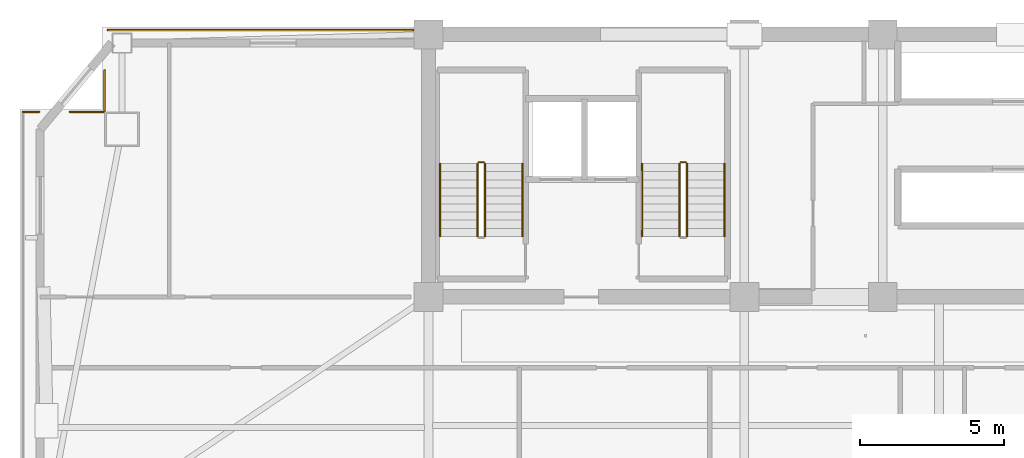
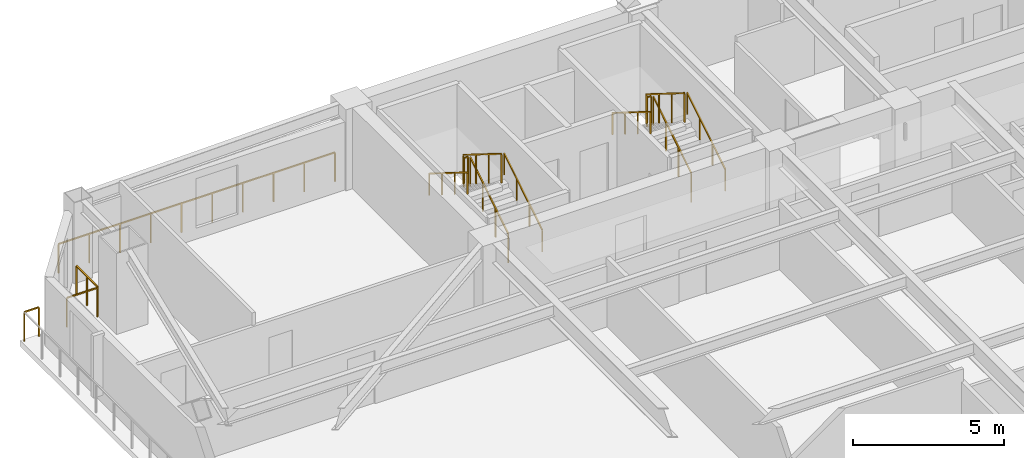
# One storey, part 16 of 17: 14 railings.
"""IFC4 building model written with IfcOpenShell, lengths in metres."""

import ifcopenshell
import ifcopenshell.guid

model = None  # the IFC model being written
_history = None  # IfcOwnerHistory: only IFC2X3 demands one
_inside = {}  # id of a spatial element -> (the spatial element, [elements in it])
_under = {}  # id of a project, library or spatial element -> (it, [spatial elements below it])
_declared = {}  # id of a project -> (the project, [libraries it declares])
_typed = {}  # id of a type object -> (the type object, [elements of that type])
_made_of = {}  # id of a material, layer set ... -> (it, [elements and type objects made of it])


def new_model(schema):
    """Start an empty IFC model of exactly this schema.

    Asked for "IFC4X3", IfcOpenShell would pick the latest addendum, in which some entities
    have other attributes; the version numbers below select the first issue.
    IFC2X3 requires an IfcOwnerHistory on every rooted entity: one is made here for all.
    """
    global model, _history
    if schema == "IFC4X3":
        model = ifcopenshell.file(schema_version=(4, 3, 0, 0))
    else:
        model = ifcopenshell.file(schema=schema)
    _inside.clear()
    _under.clear()
    _declared.clear()
    _typed.clear()
    _made_of.clear()
    _history = None
    if model.schema == "IFC2X3":
        org = make("IfcOrganization", Name="unknown")
        user = make(
            "IfcPersonAndOrganization",
            ThePerson=make("IfcPerson", FamilyName="unknown"),
            TheOrganization=org,
        )
        app = make(
            "IfcApplication",
            ApplicationDeveloper=org,
            Version="unknown",
            ApplicationFullName="unknown",
            ApplicationIdentifier="unknown",
        )
        _history = make(
            "IfcOwnerHistory",
            OwningUser=user,
            OwningApplication=app,
            ChangeAction="ADDED",
            CreationDate=0,
        )
    return model


def make(cls, **values):
    """One entity of the class cls with the attributes given. An attribute that is None is left unset."""
    return model.create_entity(
        cls, **{name: value for name, value in values.items() if value is not None}
    )


def rooted(cls, **values):
    """An entity with a GlobalId (a new one), such as an element, a storey or a relation."""
    return make(cls, GlobalId=ifcopenshell.guid.new(), OwnerHistory=_history, **values)


def si_unit(unit_type, name, prefix=None):
    """IfcSIUnit, for example si_unit("LENGTHUNIT", "METRE", prefix="MILLI")."""
    return make("IfcSIUnit", UnitType=unit_type, Prefix=prefix, Name=name)


def assignment(units):
    """IfcUnitAssignment: the units of a project."""
    return None if units is None else make("IfcUnitAssignment", Units=units)


def point(xyz):
    """IfcCartesianPoint."""
    return None if xyz is None else make("IfcCartesianPoint", Coordinates=xyz)


def direction(xyz):
    """IfcDirection."""
    return None if xyz is None else make("IfcDirection", DirectionRatios=xyz)


def frame(location, z_axis=None, x_axis=None):
    """IfcAxis2Placement3D, a coordinate frame: its origin and axes. An axis left out is left unset."""
    return make(
        "IfcAxis2Placement3D",
        Location=point(location),
        Axis=direction(z_axis),
        RefDirection=direction(x_axis),
    )


def frame_2d(location, x_axis=None):
    """IfcAxis2Placement2D, a coordinate frame in the plane: its origin and x axis."""
    return make(
        "IfcAxis2Placement2D", Location=point(location), RefDirection=direction(x_axis)
    )


def origin():
    """The frame at (0, 0, 0) with its axes left unset."""
    return frame((0.0, 0.0, 0.0))


def origin_2d():
    """The frame at (0, 0) in the plane with its x axis left unset."""
    return frame_2d((0.0, 0.0))


def place(relative_to, where):
    """IfcLocalPlacement: puts the frame where relative to a parent placement (None: the world)."""
    return make(
        "IfcLocalPlacement", PlacementRelTo=relative_to, RelativePlacement=where
    )


def context(
    kind, dimensions, precision=None, world=None, true_north=None, identifier=None
):
    """IfcGeometricRepresentationContext, for example the 3D "Model" context."""
    return make(
        "IfcGeometricRepresentationContext",
        ContextIdentifier=identifier,
        ContextType=kind,
        CoordinateSpaceDimension=dimensions,
        Precision=precision,
        WorldCoordinateSystem=world,
        TrueNorth=true_north,
    )


def subcontext(parent, identifier, kind, view, scale=None):
    """IfcGeometricRepresentationSubContext, for example "Body" below "Model"."""
    return make(
        "IfcGeometricRepresentationSubContext",
        ContextIdentifier=identifier,
        ContextType=kind,
        ParentContext=parent,
        TargetScale=scale,
        TargetView=view,
    )


def project(units=None, contexts=None):
    """IfcProject with its units and contexts."""
    return rooted(
        "IfcProject",
        Name="project",
        RepresentationContexts=contexts,
        UnitsInContext=assignment(units),
    )


def spatial(cls, under=None, at=None, **own):
    """A site, building, storey or space (cls), placed at a placement, below another one or the project."""
    s = rooted(cls, ObjectPlacement=at, **own)
    if under is not None:
        _under.setdefault(under.id(), (under, []))[1].append(s)
    return s


def profile(cls, at=None, kind="AREA", **sizes):
    """A parametric profile (cls). Its sizes go by their IFC names, for example OverallWidth=200.0."""
    return make(cls, ProfileType=kind, Position=at, **sizes)


def rectangle(**sizes):
    """IfcRectangleProfileDef."""
    return profile("IfcRectangleProfileDef", **sizes)


def extrude(swept, where, along, depth):
    """IfcExtrudedAreaSolid: the profile swept, set in the frame where, extruded along a direction by depth."""
    return make(
        "IfcExtrudedAreaSolid",
        SweptArea=swept,
        Position=where,
        ExtrudedDirection=direction(along),
        Depth=depth,
    )


def shape(context_of_items, identifier, shape_type, items):
    """IfcShapeRepresentation: the items that make up one representation, for example the "Body"."""
    return make(
        "IfcShapeRepresentation",
        ContextOfItems=context_of_items,
        RepresentationIdentifier=identifier,
        RepresentationType=shape_type,
        Items=items,
    )


def material(Name=None, Category=None):
    """IfcMaterial."""
    return make("IfcMaterial", Name=Name, Category=Category)


def made_of(thing, what):
    """Note that an element or type object is made of a material, layer set ...; save() writes the relation."""
    if what is not None:
        _made_of.setdefault(what.id(), (what, []))[1].append(thing)
    return thing


def type_object(cls, material=None, **own):
    """A type object (cls), such as IfcWallType, which elements share."""
    return made_of(rooted(cls, **own), material)


def element(
    cls,
    number,
    at=None,
    inside=None,
    cuts=None,
    type_object=None,
    material=None,
    context=None,
    identifier="Body",
    shape_type=None,
    held_by="IfcProductDefinitionShape",
    body=None,
    shapes=None,
    **own,
):
    """One element of the class cls, such as IfcWall. Its Tag is "e" and its number.

    at: its placement. inside: the storey or other place that contains it. cuts: it is an
    opening in that element (IfcRelVoidsElement). A single representation is given by context,
    identifier, shape_type and body (its items); several are given by shapes. held_by: the class
    of the entity that holds the representations. save() writes the other relations.
    """
    e = rooted(cls, Tag="e%d" % number, ObjectPlacement=at, **own)
    if body is not None:
        shapes = [shape(context, identifier, shape_type, body)]
    if shapes is not None:
        e.Representation = make(held_by, Representations=shapes)
    if inside is not None:
        _inside.setdefault(inside.id(), (inside, []))[1].append(e)
    if cuts is not None:
        rooted(
            "IfcRelVoidsElement", RelatingBuildingElement=cuts, RelatedOpeningElement=e
        )
    if type_object is not None:
        _typed.setdefault(type_object.id(), (type_object, []))[1].append(e)
    return made_of(e, material)


def aggregate(whole, parts):
    """IfcRelAggregates: a whole, such as a stair, and the parts it consists of."""
    return rooted("IfcRelAggregates", RelatingObject=whole, RelatedObjects=parts)


def save(model, path):
    """Write the relations noted so far, then the file.

    IfcRelAggregates (storeys below a building ...), IfcRelContainedInSpatialStructure (elements
    in a storey), IfcRelDefinesByType, IfcRelAssociatesMaterial and IfcRelDeclares: one each for
    every whole, place, type object, material and project.
    """
    for whole, parts in _under.values():
        aggregate(whole, parts)
    for where, things in _inside.values():
        rooted(
            "IfcRelContainedInSpatialStructure",
            RelatedElements=things,
            RelatingStructure=where,
        )
    for kind, things in _typed.values():
        rooted("IfcRelDefinesByType", RelatedObjects=things, RelatingType=kind)
    for what, things in _made_of.values():
        rooted("IfcRelAssociatesMaterial", RelatedObjects=things, RelatingMaterial=what)
    for by, libraries in _declared.values():
        rooted("IfcRelDeclares", RelatingContext=by, RelatedDefinitions=libraries)
    model.write(path)


model = new_model("IFC4")

# Units and contexts
model_context = context("Model", 3, precision=1e-05, world=origin(), true_north=direction((0.0, 1.0)))
body_context = subcontext(model_context, "Body", "Model", "MODEL_VIEW")
ifc_project = project(units=[si_unit("LENGTHUNIT", "METRE"), si_unit("AREAUNIT", "SQUARE_METRE"), si_unit("VOLUMEUNIT", "CUBIC_METRE"), si_unit("PLANEANGLEUNIT", "RADIAN"), si_unit("MASSUNIT", "GRAM", prefix="KILO")], contexts=[model_context])

# Site, building, storey
site_placement = place(None, origin())
site = spatial("IfcSite", under=ifc_project, at=site_placement, CompositionType="ELEMENT")
building_placement = place(site_placement, origin())
building = spatial("IfcBuilding", under=site, at=building_placement, Name="Giltprow Tower", CompositionType="ELEMENT")
storey_placement = place(building_placement, frame((0.0, 0.0, 195.699951171875)))
storey = spatial("IfcBuildingStorey", under=building, at=storey_placement, Name="L49", CompositionType="ELEMENT", Elevation=195.699951171875)

# Railings
ifc_material = material(Name="Anodized bronze", Category="metal")
railing_type_1 = type_object("IfcRailingType", Name="RAIL-BALC-GUARD-1200", PredefinedType="BALUSTRADE", material=ifc_material)
railing_1_placement = place(storey_placement, frame((5.7890625, 43.864990234375, 0.0)))
element("IfcRailing", 1, at=railing_1_placement, inside=storey, type_object=railing_type_1, Name="L49 Corner Apron Edge Balustrade 6", PredefinedType="BALUSTRADE", context=body_context, shape_type="SweptSolid", body=[
    extrude(rectangle(XDim=0.048095703125, YDim=0.048095703125, at=origin_2d()), frame((0.0, 0.0, 1.17578125), z_axis=(1.0, 0.0, 0.0), x_axis=(0.0, 1.0, 0.0)), (0.0, 0.0, 1.0), 0.56591796875),
    extrude(rectangle(XDim=0.0419921875, YDim=0.0419921875, at=origin_2d()), origin(), (0.0, 0.0, 1.0), 1.15185546875),
    extrude(rectangle(XDim=0.0419921875, YDim=0.0419921875, at=origin_2d()), frame((0.56591796875, 0.0, 0.0)), (0.0, 0.0, 1.0), 1.15185546875),
])
railing_2_placement = place(storey_placement, frame((7.422119140625, 43.864990234375, 0.0)))
element("IfcRailing", 2, at=railing_2_placement, inside=storey, type_object=railing_type_1, Name="L49 Corner Apron Edge Balustrade 7", PredefinedType="BALUSTRADE", context=body_context, shape_type="SweptSolid", body=[
    extrude(rectangle(XDim=0.048095703125, YDim=0.048095703125, at=origin_2d()), frame((0.0, 0.0, 1.17578125), z_axis=(1.0, 0.0, 0.0), x_axis=(0.0, 1.0, 0.0)), (0.0, 0.0, 1.0), 1.1669921875),
    extrude(rectangle(XDim=0.0419921875, YDim=0.0419921875, at=origin_2d()), origin(), (0.0, 0.0, 1.0), 1.15185546875),
    extrude(rectangle(XDim=0.0419921875, YDim=0.0419921875, at=origin_2d()), frame((1.1669921875, 0.0, 0.0)), (0.0, 0.0, 1.0), 1.15185546875),
])
railing_3_placement = place(storey_placement, frame((8.6240234375, 43.89990234375, 0.0)))
element("IfcRailing", 3, at=railing_3_placement, inside=storey, type_object=railing_type_1, Name="L49 Corner Apron Edge Balustrade 8", PredefinedType="BALUSTRADE", context=body_context, shape_type="SweptSolid", body=[
    extrude(rectangle(XDim=0.048095703125, YDim=0.048095703125, at=origin_2d()), frame((0.0, 0.0, 1.17578125), z_axis=(0.0, 1.0, 0.0), x_axis=(-1.0, 0.0, 0.0)), (0.0, 0.0, 1.0), 1.4091796875),
    extrude(rectangle(XDim=0.0419921875, YDim=0.0419921875, at=origin_2d()), origin(), (0.0, 0.0, 1.0), 1.15185546875),
    extrude(rectangle(XDim=0.0419921875, YDim=0.0419921875, at=origin_2d()), frame((0.0, 0.70458984375, 0.0)), (0.0, 0.0, 1.0), 1.15185546875),
    extrude(rectangle(XDim=0.0419921875, YDim=0.0419921875, at=origin_2d()), frame((0.0, 1.4091796875, 0.0)), (0.0, 0.0, 1.0), 1.15185546875),
])
railing_4_placement = place(storey_placement, frame((8.739990234375, 46.699951171875, 0.0)))
element("IfcRailing", 4, at=railing_4_placement, inside=storey, type_object=railing_type_1, Name="L49 Corner Apron Edge Balustrade 9", PredefinedType="BALUSTRADE", context=body_context, shape_type="SweptSolid", body=[
    extrude(rectangle(XDim=0.048095703125, YDim=0.048095703125, at=origin_2d()), frame((0.0, 0.0, 1.17578125), z_axis=(1.0, 0.0, 0.0), x_axis=(0.0, 1.0, 0.0)), (0.0, 0.0, 1.0), 10.574951171875),
    extrude(rectangle(XDim=0.0419921875, YDim=0.0419921875, at=origin_2d()), origin(), (0.0, 0.0, 1.0), 1.15185546875),
    extrude(rectangle(XDim=0.0419921875, YDim=0.0419921875, at=origin_2d()), frame((1.175048828125, 0.0, 0.0)), (0.0, 0.0, 1.0), 1.15185546875),
    extrude(rectangle(XDim=0.0419921875, YDim=0.0419921875, at=origin_2d()), frame((2.35009765625, 0.0, 0.0)), (0.0, 0.0, 1.0), 1.15185546875),
    extrude(rectangle(XDim=0.0419921875, YDim=0.0419921875, at=origin_2d()), frame((3.52490234375, 0.0, 0.0)), (0.0, 0.0, 1.0), 1.15185546875),
    extrude(rectangle(XDim=0.0419921875, YDim=0.0419921875, at=origin_2d()), frame((4.699951171875, 0.0, 0.0)), (0.0, 0.0, 1.0), 1.15185546875),
    extrude(rectangle(XDim=0.0419921875, YDim=0.0419921875, at=origin_2d()), frame((5.875, 0.0, 0.0)), (0.0, 0.0, 1.0), 1.15185546875),
    extrude(rectangle(XDim=0.0419921875, YDim=0.0419921875, at=origin_2d()), frame((7.050048828125, 0.0, 0.0)), (0.0, 0.0, 1.0), 1.15185546875),
    extrude(rectangle(XDim=0.0419921875, YDim=0.0419921875, at=origin_2d()), frame((8.224853515625, 0.0, 0.0)), (0.0, 0.0, 1.0), 1.15185546875),
    extrude(rectangle(XDim=0.0419921875, YDim=0.0419921875, at=origin_2d()), frame((9.39990234375, 0.0, 0.0)), (0.0, 0.0, 1.0), 1.15185546875),
    extrude(rectangle(XDim=0.0419921875, YDim=0.0419921875, at=origin_2d()), frame((10.574951171875, 0.0, 0.0)), (0.0, 0.0, 1.0), 1.15185546875),
])
railing_type_2 = type_object("IfcRailingType", Name="RAIL-STAIR-GUARD-1200", PredefinedType="GUARDRAIL", material=ifc_material)
railing_5_placement = place(storey_placement, frame((21.81005859375, 39.550048828125, 0.175048828125)))
element("IfcRailing", 5, at=railing_5_placement, inside=storey, type_object=railing_type_2, Name="L49 ST-1 stair guard 1", PredefinedType="GUARDRAIL", context=body_context, shape_type="SweptSolid", body=[
    extrude(rectangle(XDim=0.048095703125, YDim=0.048095703125, at=origin_2d()), frame((0.0, 0.0, 1.17578125), z_axis=(0.0, 0.848007534815, 0.529984170421), x_axis=(-1.0, 0.0, 0.0)), (0.0, 0.0, 1.0), 2.9716796875),
    extrude(rectangle(XDim=0.0419921875, YDim=0.0419921875, at=origin_2d()), origin(), (0.0, 0.0, 1.0), 1.15185546875),
    extrude(rectangle(XDim=0.0419921875, YDim=0.0419921875, at=origin_2d()), frame((0.0, 0.840087890625, 0.52490234375)), (0.0, 0.0, 1.0), 1.15185546875),
    extrude(rectangle(XDim=0.0419921875, YDim=0.0419921875, at=origin_2d()), frame((0.0, 1.679931640625, 1.050048828125)), (0.0, 0.0, 1.0), 1.15185546875),
    extrude(rectangle(XDim=0.0419921875, YDim=0.0419921875, at=origin_2d()), frame((0.0, 2.52001953125, 1.574951171875)), (0.0, 0.0, 1.0), 1.15185546875),
])
railing_6_placement = place(storey_placement, frame((21.760009765625, 42.1201171875, 1.75)))
element("IfcRailing", 6, at=railing_6_placement, inside=storey, type_object=railing_type_2, Name="L49 ST-1 stair guard 2", PredefinedType="GUARDRAIL", context=body_context, shape_type="SweptSolid", body=[
    extrude(rectangle(XDim=0.048095703125, YDim=0.048095703125, at=origin_2d()), frame((0.0, 0.0, 1.17578125), z_axis=(-1.0, 0.0, 0.0), x_axis=(0.0, -1.0, 0.0)), (0.0, 0.0, 1.0), 0.159912109375),
    extrude(rectangle(XDim=0.0419921875, YDim=0.0419921875, at=origin_2d()), origin(), (0.0, 0.0, 1.0), 1.15185546875),
    extrude(rectangle(XDim=0.0419921875, YDim=0.0419921875, at=origin_2d()), frame((-0.159912109375, 0.0, 0.0)), (0.0, 0.0, 1.0), 1.15185546875),
])
railing_7_placement = place(storey_placement, frame((21.550048828125, 42.070068359375, 1.925048828125)))
element("IfcRailing", 7, at=railing_7_placement, inside=storey, type_object=railing_type_2, Name="L49 ST-1 stair guard 3", PredefinedType="GUARDRAIL", context=body_context, shape_type="SweptSolid", body=[
    extrude(rectangle(XDim=0.048095703125, YDim=0.048095703125, at=origin_2d()), frame((0.0, 0.0, 1.17578125), z_axis=(0.0, -0.848007534815, 0.529984170421), x_axis=(1.0, 0.0, 0.0)), (0.0, 0.0, 1.0), 2.9716796875),
    extrude(rectangle(XDim=0.0419921875, YDim=0.0419921875, at=origin_2d()), origin(), (0.0, 0.0, 1.0), 1.15185546875),
    extrude(rectangle(XDim=0.0419921875, YDim=0.0419921875, at=origin_2d()), frame((0.0, -0.840087890625, 0.52490234375)), (0.0, 0.0, 1.0), 1.15185546875),
    extrude(rectangle(XDim=0.0419921875, YDim=0.0419921875, at=origin_2d()), frame((0.0, -1.679931640625, 1.050048828125)), (0.0, 0.0, 1.0), 1.15185546875),
    extrude(rectangle(XDim=0.0419921875, YDim=0.0419921875, at=origin_2d()), frame((0.0, -2.52001953125, 1.574951171875)), (0.0, 0.0, 1.0), 1.15185546875),
])
railing_8_placement = place(storey_placement, frame((28.81005859375, 39.550048828125, 0.175048828125)))
element("IfcRailing", 8, at=railing_8_placement, inside=storey, type_object=railing_type_2, Name="L49 ST-2 stair guard 1", PredefinedType="GUARDRAIL", context=body_context, shape_type="SweptSolid", body=[
    extrude(rectangle(XDim=0.048095703125, YDim=0.048095703125, at=origin_2d()), frame((0.0, 0.0, 1.17578125), z_axis=(0.0, 0.848007534815, 0.529984170421), x_axis=(-1.0, 0.0, 0.0)), (0.0, 0.0, 1.0), 2.9716796875),
    extrude(rectangle(XDim=0.0419921875, YDim=0.0419921875, at=origin_2d()), origin(), (0.0, 0.0, 1.0), 1.15185546875),
    extrude(rectangle(XDim=0.0419921875, YDim=0.0419921875, at=origin_2d()), frame((0.0, 0.840087890625, 0.52490234375)), (0.0, 0.0, 1.0), 1.15185546875),
    extrude(rectangle(XDim=0.0419921875, YDim=0.0419921875, at=origin_2d()), frame((0.0, 1.679931640625, 1.050048828125)), (0.0, 0.0, 1.0), 1.15185546875),
    extrude(rectangle(XDim=0.0419921875, YDim=0.0419921875, at=origin_2d()), frame((0.0, 2.52001953125, 1.574951171875)), (0.0, 0.0, 1.0), 1.15185546875),
])
railing_9_placement = place(storey_placement, frame((28.760009765625, 42.1201171875, 1.75)))
element("IfcRailing", 9, at=railing_9_placement, inside=storey, type_object=railing_type_2, Name="L49 ST-2 stair guard 2", PredefinedType="GUARDRAIL", context=body_context, shape_type="SweptSolid", body=[
    extrude(rectangle(XDim=0.048095703125, YDim=0.048095703125, at=origin_2d()), frame((0.0, 0.0, 1.17578125), z_axis=(-1.0, 0.0, 0.0), x_axis=(0.0, -1.0, 0.0)), (0.0, 0.0, 1.0), 0.159912109375),
    extrude(rectangle(XDim=0.0419921875, YDim=0.0419921875, at=origin_2d()), origin(), (0.0, 0.0, 1.0), 1.15185546875),
    extrude(rectangle(XDim=0.0419921875, YDim=0.0419921875, at=origin_2d()), frame((-0.159912109375, 0.0, 0.0)), (0.0, 0.0, 1.0), 1.15185546875),
])
railing_10_placement = place(storey_placement, frame((28.550048828125, 42.070068359375, 1.925048828125)))
element("IfcRailing", 10, at=railing_10_placement, inside=storey, type_object=railing_type_2, Name="L49 ST-2 stair guard 3", PredefinedType="GUARDRAIL", context=body_context, shape_type="SweptSolid", body=[
    extrude(rectangle(XDim=0.048095703125, YDim=0.048095703125, at=origin_2d()), frame((0.0, 0.0, 1.17578125), z_axis=(0.0, -0.848007534815, 0.529984170421), x_axis=(1.0, 0.0, 0.0)), (0.0, 0.0, 1.0), 2.9716796875),
    extrude(rectangle(XDim=0.0419921875, YDim=0.0419921875, at=origin_2d()), origin(), (0.0, 0.0, 1.0), 1.15185546875),
    extrude(rectangle(XDim=0.0419921875, YDim=0.0419921875, at=origin_2d()), frame((0.0, -0.840087890625, 0.52490234375)), (0.0, 0.0, 1.0), 1.15185546875),
    extrude(rectangle(XDim=0.0419921875, YDim=0.0419921875, at=origin_2d()), frame((0.0, -1.679931640625, 1.050048828125)), (0.0, 0.0, 1.0), 1.15185546875),
    extrude(rectangle(XDim=0.0419921875, YDim=0.0419921875, at=origin_2d()), frame((0.0, -2.52001953125, 1.574951171875)), (0.0, 0.0, 1.0), 1.15185546875),
])
railing_type_3 = type_object("IfcRailingType", Name="RAIL-STAIR-HAND-900", PredefinedType="HANDRAIL", material=ifc_material)
railing_11_placement = place(storey_placement, frame((23.110107421875, 39.550048828125, 0.175048828125)))
element("IfcRailing", 11, at=railing_11_placement, inside=storey, type_object=railing_type_3, Name="L49 ST-1 stair handrail 1", PredefinedType="HANDRAIL", context=body_context, shape_type="SweptSolid", body=[
    extrude(rectangle(XDim=0.048095703125, YDim=0.048095703125, at=origin_2d()), frame((0.0, 0.0, 0.8759765625), z_axis=(0.0, 0.848007534815, 0.529984170421), x_axis=(-1.0, 0.0, 0.0)), (0.0, 0.0, 1.0), 2.9716796875),
    extrude(rectangle(XDim=0.0419921875, YDim=0.0419921875, at=origin_2d()), origin(), (0.0, 0.0, 1.0), 0.851806640625),
    extrude(rectangle(XDim=0.0419921875, YDim=0.0419921875, at=origin_2d()), frame((0.0, 0.840087890625, 0.52490234375)), (0.0, 0.0, 1.0), 0.851806640625),
    extrude(rectangle(XDim=0.0419921875, YDim=0.0419921875, at=origin_2d()), frame((0.0, 1.679931640625, 1.050048828125)), (0.0, 0.0, 1.0), 0.851806640625),
    extrude(rectangle(XDim=0.0419921875, YDim=0.0419921875, at=origin_2d()), frame((0.0, 2.52001953125, 1.574951171875)), (0.0, 0.0, 1.0), 0.851806640625),
])
railing_12_placement = place(storey_placement, frame((20.25, 42.070068359375, 1.925048828125)))
element("IfcRailing", 12, at=railing_12_placement, inside=storey, type_object=railing_type_3, Name="L49 ST-1 stair handrail 2", PredefinedType="HANDRAIL", context=body_context, shape_type="SweptSolid", body=[
    extrude(rectangle(XDim=0.048095703125, YDim=0.048095703125, at=origin_2d()), frame((0.0, 0.0, 0.8759765625), z_axis=(0.0, -0.848007534815, 0.529984170421), x_axis=(1.0, 0.0, 0.0)), (0.0, 0.0, 1.0), 2.9716796875),
    extrude(rectangle(XDim=0.0419921875, YDim=0.0419921875, at=origin_2d()), origin(), (0.0, 0.0, 1.0), 0.851806640625),
    extrude(rectangle(XDim=0.0419921875, YDim=0.0419921875, at=origin_2d()), frame((0.0, -0.840087890625, 0.52490234375)), (0.0, 0.0, 1.0), 0.851806640625),
    extrude(rectangle(XDim=0.0419921875, YDim=0.0419921875, at=origin_2d()), frame((0.0, -1.679931640625, 1.050048828125)), (0.0, 0.0, 1.0), 0.851806640625),
    extrude(rectangle(XDim=0.0419921875, YDim=0.0419921875, at=origin_2d()), frame((0.0, -2.52001953125, 1.574951171875)), (0.0, 0.0, 1.0), 0.851806640625),
])
railing_13_placement = place(storey_placement, frame((30.110107421875, 39.550048828125, 0.175048828125)))
element("IfcRailing", 13, at=railing_13_placement, inside=storey, type_object=railing_type_3, Name="L49 ST-2 stair handrail 1", PredefinedType="HANDRAIL", context=body_context, shape_type="SweptSolid", body=[
    extrude(rectangle(XDim=0.048095703125, YDim=0.048095703125, at=origin_2d()), frame((0.0, 0.0, 0.8759765625), z_axis=(0.0, 0.848007534815, 0.529984170421), x_axis=(-1.0, 0.0, 0.0)), (0.0, 0.0, 1.0), 2.9716796875),
    extrude(rectangle(XDim=0.0419921875, YDim=0.0419921875, at=origin_2d()), origin(), (0.0, 0.0, 1.0), 0.851806640625),
    extrude(rectangle(XDim=0.0419921875, YDim=0.0419921875, at=origin_2d()), frame((0.0, 0.840087890625, 0.52490234375)), (0.0, 0.0, 1.0), 0.851806640625),
    extrude(rectangle(XDim=0.0419921875, YDim=0.0419921875, at=origin_2d()), frame((0.0, 1.679931640625, 1.050048828125)), (0.0, 0.0, 1.0), 0.851806640625),
    extrude(rectangle(XDim=0.0419921875, YDim=0.0419921875, at=origin_2d()), frame((0.0, 2.52001953125, 1.574951171875)), (0.0, 0.0, 1.0), 0.851806640625),
])
railing_14_placement = place(storey_placement, frame((27.25, 42.070068359375, 1.925048828125)))
element("IfcRailing", 14, at=railing_14_placement, inside=storey, type_object=railing_type_3, Name="L49 ST-2 stair handrail 2", PredefinedType="HANDRAIL", context=body_context, shape_type="SweptSolid", body=[
    extrude(rectangle(XDim=0.048095703125, YDim=0.048095703125, at=origin_2d()), frame((0.0, 0.0, 0.8759765625), z_axis=(0.0, -0.848007534815, 0.529984170421), x_axis=(1.0, 0.0, 0.0)), (0.0, 0.0, 1.0), 2.9716796875),
    extrude(rectangle(XDim=0.0419921875, YDim=0.0419921875, at=origin_2d()), origin(), (0.0, 0.0, 1.0), 0.851806640625),
    extrude(rectangle(XDim=0.0419921875, YDim=0.0419921875, at=origin_2d()), frame((0.0, -0.840087890625, 0.52490234375)), (0.0, 0.0, 1.0), 0.851806640625),
    extrude(rectangle(XDim=0.0419921875, YDim=0.0419921875, at=origin_2d()), frame((0.0, -1.679931640625, 1.050048828125)), (0.0, 0.0, 1.0), 0.851806640625),
    extrude(rectangle(XDim=0.0419921875, YDim=0.0419921875, at=origin_2d()), frame((0.0, -2.52001953125, 1.574951171875)), (0.0, 0.0, 1.0), 0.851806640625),
])

save(model, "model.ifc")
